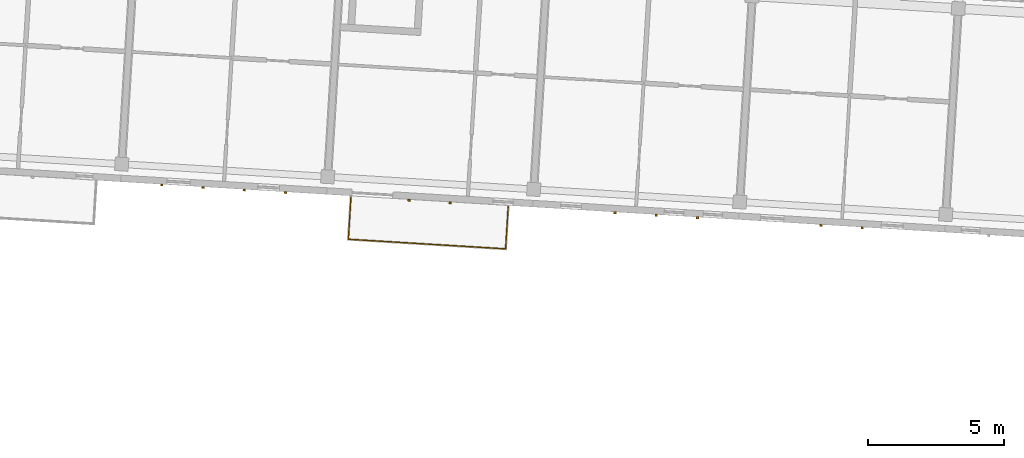
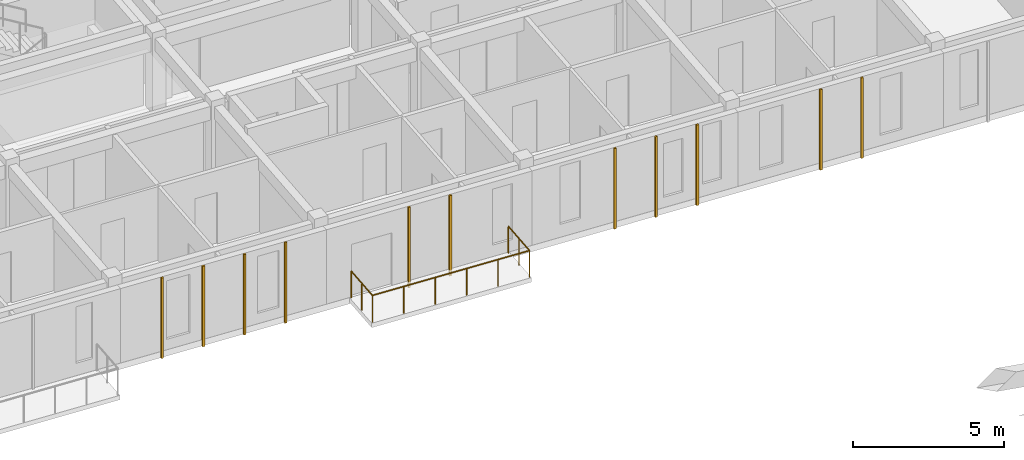
# One storey, part 99 of 127: 11 coverings, 1 railing.
"""IFC4 building model written with IfcOpenShell, lengths in metres."""

from ifc_helpers import new_model, si_unit, direction, frame, origin, origin_2d, place, context, subcontext, project, spatial, rectangle, circle, extrude, material, layer, layer_set, type_object, element, save


model = new_model("IFC4")

# Units and contexts
model_context = context("Model", 3, precision=1e-05, world=origin(), true_north=direction((0.0, 1.0)))
body_context = subcontext(model_context, "Body", "Model", "MODEL_VIEW")
ifc_project = project(units=[si_unit("LENGTHUNIT", "METRE"), si_unit("AREAUNIT", "SQUARE_METRE"), si_unit("VOLUMEUNIT", "CUBIC_METRE"), si_unit("PLANEANGLEUNIT", "RADIAN"), si_unit("MASSUNIT", "GRAM", prefix="KILO")], contexts=[model_context])

# Site, building, storey
site_placement = place(None, origin())
site = spatial("IfcSite", under=ifc_project, at=site_placement, CompositionType="ELEMENT")
building_placement = place(site_placement, origin())
building = spatial("IfcBuilding", under=site, at=building_placement, Name="Kestramere Prow Commons", CompositionType="ELEMENT")
storey_placement = place(building_placement, frame((0.0, 0.0, 8.39990234375)))
storey = spatial("IfcBuildingStorey", under=building, at=storey_placement, Name="L02", CompositionType="ELEMENT", Elevation=8.39990234375)

# Coverings
ifc_material_1 = material(Name="Weathered Zinc-Titanium Standing-Seam Cladding")
ifc_layer = layer(ifc_material_1, 0.074951171875)
ifc_layer_set = layer_set([ifc_layer], Name="Weathered Zinc-Titanium Standing-Seam Cladding")
covering_type = type_object("IfcCoveringType", Name="COV-CLAD-SEAM", PredefinedType="CLADDING", material=ifc_layer_set)
for number, where, z_axis, x_axis, name in (
    (1, (73.113037109375, 44.988525390625, -0.25), (0.0, 0.0, 1.0), (-0.998134798422, 0.061048539535, 0.0), "EW-C-L02-S-1 Standing-Seam Rib 1"),
    (2, (71.595947265625, 45.081298828125, -0.25), (0.0, 0.0, 1.0), (-0.998134798422, 0.061048539535, 0.0), "EW-C-L02-S-1 Standing-Seam Rib 2"),
    (3, (70.078857421875, 45.17431640625, -0.25), (0.0, 0.0, 1.0), (-0.998134798422, 0.061048539535, 0.0), "EW-C-L02-S-1 Standing-Seam Rib 3"),
    (4, (68.5615234375, 45.26708984375, -0.25), (0.0, 0.0, 1.0), (-0.998134798422, 0.061048539535, 0.0), "EW-C-L02-S-1 Standing-Seam Rib 4"),
    (5, (79.181884765625, 44.617431640625, -0.25), (0.0, 0.0, 1.0), (-0.998134798422, 0.061048539535, 0.0), "EW-C-L02-S-2 Standing-Seam Rib 2"),
    (6, (77.66455078125, 44.710205078125, -0.25), (0.0, 0.0, 1.0), (-0.998134798422, 0.061048539535, 0.0), "EW-C-L02-S-2 Standing-Seam Rib 3"),
    (7, (88.28466796875, 44.060791015625, -0.25), (0.0, 0.0, 1.0), (-0.998134798422, 0.061048539535, 0.0), "EW-C-L02-S-3 Standing-Seam Rib 1"),
    (8, (86.767578125, 44.153564453125, -0.25), (0.0, 0.0, 1.0), (-0.998134798422, 0.061048539535, 0.0), "EW-C-L02-S-3 Standing-Seam Rib 2"),
    (9, (85.25048828125, 44.246337890625, -0.25), (0.0, 0.0, 1.0), (-0.998134798422, 0.061048539535, 0.0), "EW-C-L02-S-3 Standing-Seam Rib 3"),
    (10, (94.353515625, 43.689453125, -0.25), (0.0, 0.0, 1.0), (-0.998134798422, 0.061048539535, 0.0), "EW-C-L02-S-4 Standing-Seam Rib 2"),
    (11, (92.836181640625, 43.7822265625, -0.25), (0.0, 0.0, 1.0), (-0.998134798422, 0.061048539535, 0.0), "EW-C-L02-S-4 Standing-Seam Rib 3"),
):
    element("IfcCovering", number, at=place(storey_placement, frame(where, z_axis=z_axis, x_axis=x_axis)), inside=storey, type_object=covering_type, Name=name, PredefinedType="CLADDING", context=body_context, shape_type="SweptSolid", body=[
        extrude(rectangle(XDim=0.0849609375, YDim=0.06494140625, at=origin_2d()), origin(), (0.0, 0.0, 1.0), 3.25),
    ])

# Railing
ifc_material_2 = material(Name="Powder-Coated Aluminium 6063-T6", Category="aluminium")
railing_type = type_object("IfcRailingType", Name="GRD-BALC-1100", PredefinedType="BALUSTRADE", material=ifc_material_2)
railing_placement = place(storey_placement, frame((75.52783203125, 44.828369140625, 0.0)))
element("IfcRailing", 12, at=railing_placement, inside=storey, type_object=railing_type, Name="Block C L02 Balcony Guardrail 3", PredefinedType="BALUSTRADE", context=body_context, shape_type="SweptSolid", body=[
    extrude(circle(Radius=0.02392578125, at=origin_2d()), frame((0.0, 0.0, 1.076171875), z_axis=(-0.061033697925, -0.998135706063, 0.0), x_axis=(0.998135706063, -0.061033697925, 0.0)), (0.0, 0.0, 1.0), 1.56005859375),
    extrude(circle(Radius=0.02392578125, at=origin_2d()), frame((-0.09521484375, -1.55712890625, 1.076171875), z_axis=(0.998135537192, -0.061036459553, 0.0), x_axis=(0.061036459553, 0.998135537192, 0.0)), (0.0, 0.0, 1.0), 5.7998046875),
    extrude(circle(Radius=0.02392578125, at=origin_2d()), frame((5.69384765625, -1.9111328125, 1.076171875), z_axis=(0.061189609383, 0.998126160214, 0.0), x_axis=(-0.998126160214, 0.061189609383, 0.0)), (0.0, 0.0, 1.0), 1.56005859375),
    extrude(circle(Radius=0.02099609375, at=origin_2d()), origin(), (0.0, 0.0, 1.0), 1.052001953125),
    extrude(circle(Radius=0.02099609375, at=origin_2d()), frame((-0.047607421875, -0.778564453125, 0.0)), (0.0, 0.0, 1.0), 1.052001953125),
    extrude(circle(Radius=0.02099609375, at=origin_2d()), frame((-0.09521484375, -1.55712890625, 0.0)), (0.0, 0.0, 1.0), 1.052001953125),
    extrude(circle(Radius=0.02099609375, at=origin_2d()), frame((1.0625, -1.6279296875, 0.0)), (0.0, 0.0, 1.0), 1.052001953125),
    extrude(circle(Radius=0.02099609375, at=origin_2d()), frame((2.220458984375, -1.69873046875, 0.0)), (0.0, 0.0, 1.0), 1.052001953125),
    extrude(circle(Radius=0.02099609375, at=origin_2d()), frame((3.378173828125, -1.76953125, 0.0)), (0.0, 0.0, 1.0), 1.052001953125),
    extrude(circle(Radius=0.02099609375, at=origin_2d()), frame((4.5361328125, -1.84033203125, 0.0)), (0.0, 0.0, 1.0), 1.052001953125),
    extrude(circle(Radius=0.02099609375, at=origin_2d()), frame((5.69384765625, -1.9111328125, 0.0)), (0.0, 0.0, 1.0), 1.052001953125),
    extrude(circle(Radius=0.02099609375, at=origin_2d()), frame((5.74169921875, -1.132568359375, 0.0)), (0.0, 0.0, 1.0), 1.052001953125),
    extrude(circle(Radius=0.02099609375, at=origin_2d()), frame((5.789306640625, -0.35400390625, 0.0)), (0.0, 0.0, 1.0), 1.052001953125),
])

save(model, "model.ifc")
